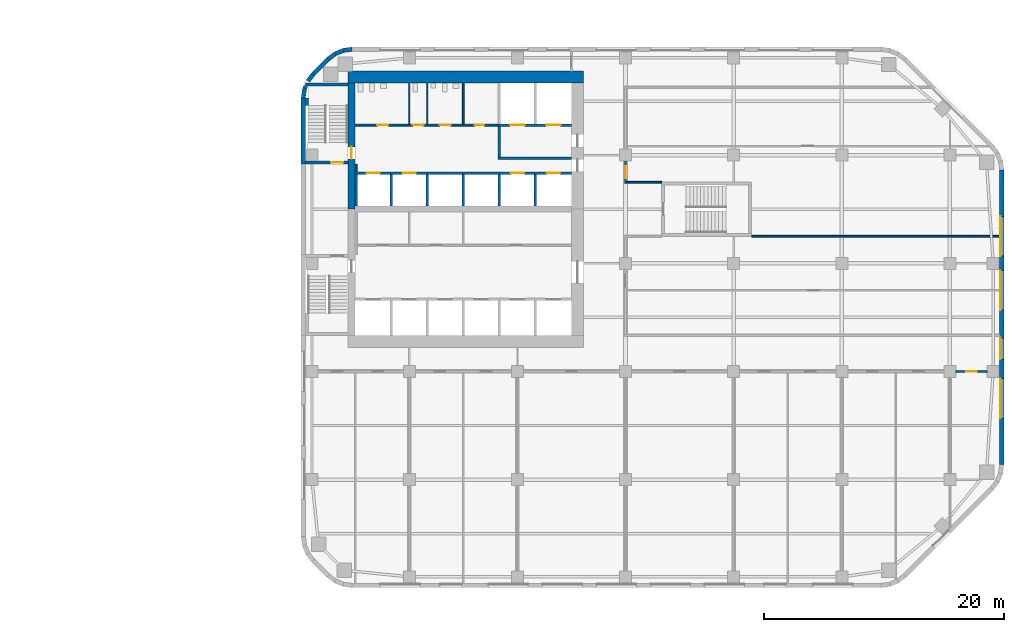
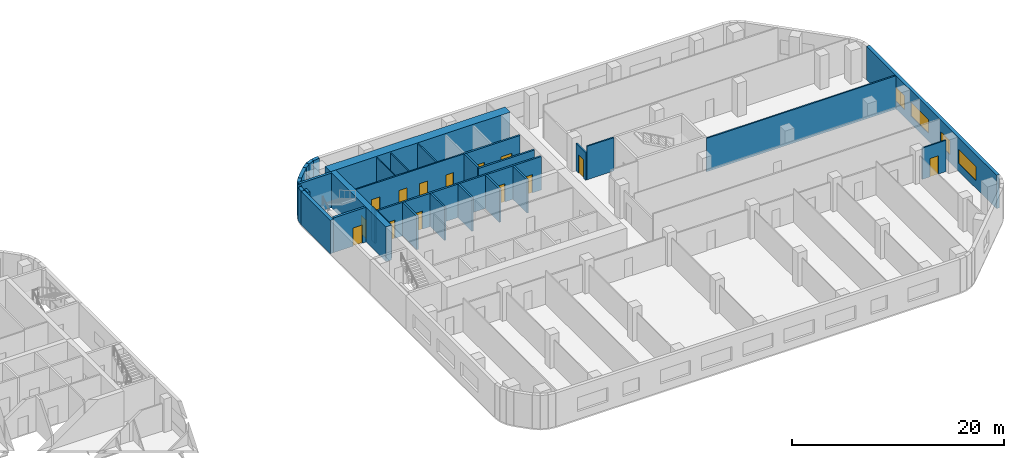
# One storey, part 10 of 15: 33 walls, 14 doors, 4 windows, 18 openings.
"""IFC4 building model written with IfcOpenShell, lengths in metres."""

import ifcopenshell
import ifcopenshell.guid

model = None  # the IFC model being written
_history = None  # IfcOwnerHistory: only IFC2X3 demands one
_inside = {}  # id of a spatial element -> (the spatial element, [elements in it])
_under = {}  # id of a project, library or spatial element -> (it, [spatial elements below it])
_declared = {}  # id of a project -> (the project, [libraries it declares])
_typed = {}  # id of a type object -> (the type object, [elements of that type])
_made_of = {}  # id of a material, layer set ... -> (it, [elements and type objects made of it])


def new_model(schema):
    """Start an empty IFC model of exactly this schema.

    Asked for "IFC4X3", IfcOpenShell would pick the latest addendum, in which some entities
    have other attributes; the version numbers below select the first issue.
    IFC2X3 requires an IfcOwnerHistory on every rooted entity: one is made here for all.
    """
    global model, _history
    if schema == "IFC4X3":
        model = ifcopenshell.file(schema_version=(4, 3, 0, 0))
    else:
        model = ifcopenshell.file(schema=schema)
    _inside.clear()
    _under.clear()
    _declared.clear()
    _typed.clear()
    _made_of.clear()
    _history = None
    if model.schema == "IFC2X3":
        org = make("IfcOrganization", Name="unknown")
        user = make(
            "IfcPersonAndOrganization",
            ThePerson=make("IfcPerson", FamilyName="unknown"),
            TheOrganization=org,
        )
        app = make(
            "IfcApplication",
            ApplicationDeveloper=org,
            Version="unknown",
            ApplicationFullName="unknown",
            ApplicationIdentifier="unknown",
        )
        _history = make(
            "IfcOwnerHistory",
            OwningUser=user,
            OwningApplication=app,
            ChangeAction="ADDED",
            CreationDate=0,
        )
    return model


def make(cls, **values):
    """One entity of the class cls with the attributes given. An attribute that is None is left unset."""
    return model.create_entity(
        cls, **{name: value for name, value in values.items() if value is not None}
    )


def rooted(cls, **values):
    """An entity with a GlobalId (a new one), such as an element, a storey or a relation."""
    return make(cls, GlobalId=ifcopenshell.guid.new(), OwnerHistory=_history, **values)


def si_unit(unit_type, name, prefix=None):
    """IfcSIUnit, for example si_unit("LENGTHUNIT", "METRE", prefix="MILLI")."""
    return make("IfcSIUnit", UnitType=unit_type, Prefix=prefix, Name=name)


def assignment(units):
    """IfcUnitAssignment: the units of a project."""
    return None if units is None else make("IfcUnitAssignment", Units=units)


def point(xyz):
    """IfcCartesianPoint."""
    return None if xyz is None else make("IfcCartesianPoint", Coordinates=xyz)


def direction(xyz):
    """IfcDirection."""
    return None if xyz is None else make("IfcDirection", DirectionRatios=xyz)


def frame(location, z_axis=None, x_axis=None):
    """IfcAxis2Placement3D, a coordinate frame: its origin and axes. An axis left out is left unset."""
    return make(
        "IfcAxis2Placement3D",
        Location=point(location),
        Axis=direction(z_axis),
        RefDirection=direction(x_axis),
    )


def frame_2d(location, x_axis=None):
    """IfcAxis2Placement2D, a coordinate frame in the plane: its origin and x axis."""
    return make(
        "IfcAxis2Placement2D", Location=point(location), RefDirection=direction(x_axis)
    )


def origin():
    """The frame at (0, 0, 0) with its axes left unset."""
    return frame((0.0, 0.0, 0.0))


def place(relative_to, where):
    """IfcLocalPlacement: puts the frame where relative to a parent placement (None: the world)."""
    return make(
        "IfcLocalPlacement", PlacementRelTo=relative_to, RelativePlacement=where
    )


def context(
    kind, dimensions, precision=None, world=None, true_north=None, identifier=None
):
    """IfcGeometricRepresentationContext, for example the 3D "Model" context."""
    return make(
        "IfcGeometricRepresentationContext",
        ContextIdentifier=identifier,
        ContextType=kind,
        CoordinateSpaceDimension=dimensions,
        Precision=precision,
        WorldCoordinateSystem=world,
        TrueNorth=true_north,
    )


def subcontext(parent, identifier, kind, view, scale=None):
    """IfcGeometricRepresentationSubContext, for example "Body" below "Model"."""
    return make(
        "IfcGeometricRepresentationSubContext",
        ContextIdentifier=identifier,
        ContextType=kind,
        ParentContext=parent,
        TargetScale=scale,
        TargetView=view,
    )


def project(units=None, contexts=None):
    """IfcProject with its units and contexts."""
    return rooted(
        "IfcProject",
        Name="project",
        RepresentationContexts=contexts,
        UnitsInContext=assignment(units),
    )


def spatial(cls, under=None, at=None, **own):
    """A site, building, storey or space (cls), placed at a placement, below another one or the project."""
    s = rooted(cls, ObjectPlacement=at, **own)
    if under is not None:
        _under.setdefault(under.id(), (under, []))[1].append(s)
    return s


def profile(cls, at=None, kind="AREA", **sizes):
    """A parametric profile (cls). Its sizes go by their IFC names, for example OverallWidth=200.0."""
    return make(cls, ProfileType=kind, Position=at, **sizes)


def rectangle(**sizes):
    """IfcRectangleProfileDef."""
    return profile("IfcRectangleProfileDef", **sizes)


def extrude(swept, where, along, depth):
    """IfcExtrudedAreaSolid: the profile swept, set in the frame where, extruded along a direction by depth."""
    return make(
        "IfcExtrudedAreaSolid",
        SweptArea=swept,
        Position=where,
        ExtrudedDirection=direction(along),
        Depth=depth,
    )


def shape(context_of_items, identifier, shape_type, items):
    """IfcShapeRepresentation: the items that make up one representation, for example the "Body"."""
    return make(
        "IfcShapeRepresentation",
        ContextOfItems=context_of_items,
        RepresentationIdentifier=identifier,
        RepresentationType=shape_type,
        Items=items,
    )


def material(Name=None, Category=None):
    """IfcMaterial."""
    return make("IfcMaterial", Name=Name, Category=Category)


def layer(
    of_material, thickness, ventilated=None, Name=None, Category=None, Priority=None
):
    """IfcMaterialLayer: one layer of a wall or slab, of a material (None: an air gap)."""
    return make(
        "IfcMaterialLayer",
        Material=of_material,
        LayerThickness=thickness,
        IsVentilated=ventilated,
        Name=Name,
        Category=Category,
        Priority=Priority,
    )


def layer_set(layers, Name=None):
    """IfcMaterialLayerSet."""
    return make("IfcMaterialLayerSet", MaterialLayers=layers, LayerSetName=Name)


def made_of(thing, what):
    """Note that an element or type object is made of a material, layer set ...; save() writes the relation."""
    if what is not None:
        _made_of.setdefault(what.id(), (what, []))[1].append(thing)
    return thing


def type_object(cls, material=None, **own):
    """A type object (cls), such as IfcWallType, which elements share."""
    return made_of(rooted(cls, **own), material)


def element(
    cls,
    number,
    at=None,
    inside=None,
    cuts=None,
    type_object=None,
    material=None,
    context=None,
    identifier="Body",
    shape_type=None,
    held_by="IfcProductDefinitionShape",
    body=None,
    shapes=None,
    **own,
):
    """One element of the class cls, such as IfcWall. Its Tag is "e" and its number.

    at: its placement. inside: the storey or other place that contains it. cuts: it is an
    opening in that element (IfcRelVoidsElement). A single representation is given by context,
    identifier, shape_type and body (its items); several are given by shapes. held_by: the class
    of the entity that holds the representations. save() writes the other relations.
    """
    e = rooted(cls, Tag="e%d" % number, ObjectPlacement=at, **own)
    if body is not None:
        shapes = [shape(context, identifier, shape_type, body)]
    if shapes is not None:
        e.Representation = make(held_by, Representations=shapes)
    if inside is not None:
        _inside.setdefault(inside.id(), (inside, []))[1].append(e)
    if cuts is not None:
        rooted(
            "IfcRelVoidsElement", RelatingBuildingElement=cuts, RelatedOpeningElement=e
        )
    if type_object is not None:
        _typed.setdefault(type_object.id(), (type_object, []))[1].append(e)
    return made_of(e, material)


def fill(opening, filler):
    """IfcRelFillsElement: the door or window that sits in an opening."""
    return rooted(
        "IfcRelFillsElement",
        RelatingOpeningElement=opening,
        RelatedBuildingElement=filler,
    )


def aggregate(whole, parts):
    """IfcRelAggregates: a whole, such as a stair, and the parts it consists of."""
    return rooted("IfcRelAggregates", RelatingObject=whole, RelatedObjects=parts)


def save(model, path):
    """Write the relations noted so far, then the file.

    IfcRelAggregates (storeys below a building ...), IfcRelContainedInSpatialStructure (elements
    in a storey), IfcRelDefinesByType, IfcRelAssociatesMaterial and IfcRelDeclares: one each for
    every whole, place, type object, material and project.
    """
    for whole, parts in _under.values():
        aggregate(whole, parts)
    for where, things in _inside.values():
        rooted(
            "IfcRelContainedInSpatialStructure",
            RelatedElements=things,
            RelatingStructure=where,
        )
    for kind, things in _typed.values():
        rooted("IfcRelDefinesByType", RelatedObjects=things, RelatingType=kind)
    for what, things in _made_of.values():
        rooted("IfcRelAssociatesMaterial", RelatedObjects=things, RelatingMaterial=what)
    for by, libraries in _declared.values():
        rooted("IfcRelDeclares", RelatingContext=by, RelatedDefinitions=libraries)
    model.write(path)


model = new_model("IFC4")

# Units and contexts
model_context = context("Model", 3, precision=1e-05, world=origin(), true_north=direction((0.0, 1.0)))
body_context = subcontext(model_context, "Body", "Model", "MODEL_VIEW")
ifc_project = project(units=[si_unit("LENGTHUNIT", "METRE"), si_unit("AREAUNIT", "SQUARE_METRE"), si_unit("VOLUMEUNIT", "CUBIC_METRE"), si_unit("PLANEANGLEUNIT", "RADIAN"), si_unit("MASSUNIT", "GRAM", prefix="KILO")], contexts=[model_context])

# Site, building, storey
site_placement = place(None, origin())
site = spatial("IfcSite", under=ifc_project, at=site_placement, CompositionType="ELEMENT")
building_placement = place(site_placement, origin())
building = spatial("IfcBuilding", under=site, at=building_placement, Name="Cinnabar Reach Civic Tower", CompositionType="ELEMENT")
storey_placement = place(building_placement, frame((0.0, 0.0, 59.0)))
storey = spatial("IfcBuildingStorey", under=building, at=storey_placement, Name="L13", CompositionType="ELEMENT", Elevation=59.0)

# Walls
ifc_material_1 = material(Name="Facing brick with insulated backing", Category="masonry")
ifc_layer_1 = layer(ifc_material_1, 0.36)
ifc_layer_set_1 = layer_set([ifc_layer_1], Name="Brick corner wall")
wall_type_1 = type_object("IfcWallType", Name="Brick corner wall", PredefinedType="STANDARD", material=ifc_layer_set_1)
for number, where, z_axis, x_axis, name in (
    (1, (4.2314, 44.817, 0.0), (0.0, 0.0, 1.0), (-0.99144092581, -0.13055608231, 0.0), "Brick corner wall"),
    (2, (3.5027, 44.7181, 0.0), (0.0, 0.0, 1.0), (-0.923871547278, -0.382702709855, 0.0), "Brick corner wall"),
):
    element("IfcWall", number, at=place(storey_placement, frame(where, z_axis=z_axis, x_axis=x_axis)), inside=storey, type_object=wall_type_1, Name=name, PredefinedType="STANDARD", context=body_context, shape_type="SweptSolid", body=[
        extrude(rectangle(XDim=0.7131, YDim=0.36, at=frame_2d((0.3565, 0.0))), origin(), (0.0, 0.0, 1.0), 3.85),
    ])
for number, where, z_axis, x_axis, name in (
    (3, (2.8245, 44.434, 0.0), (0.0, 0.0, 1.0), (-0.793321924995, -0.608802368033, 0.0), "Brick corner wall"),
    (4, (1.0002, 42.7413, 0.0), (0.0, 0.0, 1.0), (-0.608802368033, -0.793321924995, 0.0), "Brick corner wall"),
):
    element("IfcWall", number, at=place(storey_placement, frame(where, z_axis=z_axis, x_axis=x_axis)), inside=storey, type_object=wall_type_1, Name=name, PredefinedType="STANDARD", context=body_context, shape_type="SweptSolid", body=[
        extrude(rectangle(XDim=0.7132, YDim=0.36, at=frame_2d((0.3566, 0.0))), origin(), (0.0, 0.0, 1.0), 3.85),
    ])
wall_1_placement = place(storey_placement, frame((0.3808, 41.736, 0.0), z_axis=(0.0, 0.0, 1.0), x_axis=(-0.382773360986, -0.923842277729, 0.0)))
element("IfcWall", 5, at=wall_1_placement, inside=storey, type_object=wall_type_1, Name="Brick corner wall", PredefinedType="STANDARD", context=body_context, shape_type="SweptSolid", body=[
    extrude(rectangle(XDim=0.2584, YDim=0.36, at=frame_2d((0.1292, 0.0))), origin(), (0.0, 0.0, 1.0), 3.85),
])
wall_2_placement = place(storey_placement, frame((0.2761, 41.4756, 0.0), z_axis=(0.0, 0.0, 1.0), x_axis=(-0.13055608231, -0.99144092581, 0.0)))
element("IfcWall", 6, at=wall_2_placement, inside=storey, type_object=wall_type_1, Name="Brick corner wall", PredefinedType="STANDARD", context=body_context, shape_type="SweptSolid", body=[
    extrude(rectangle(XDim=0.7131, YDim=0.36, at=frame_2d((0.3565, 0.0))), origin(), (0.0, 0.0, 1.0), 3.85),
])

# Wall, openings, windows
ifc_layer_2 = layer(ifc_material_1, 0.36)
ifc_layer_set_2 = layer_set([ifc_layer_2], Name="Brick pier and spandrel wall")
wall_type_2 = type_object("IfcWallType", Name="Brick pier and spandrel wall", PredefinedType="STANDARD", material=ifc_layer_set_2)
wall_3_placement = place(storey_placement, frame((58.32, 10.2426, 0.0), z_axis=(0.0, 0.0, 1.0), x_axis=(0.0, 1.0, 0.0)))
wall_3 = element("IfcWall", 7, at=wall_3_placement, inside=storey, type_object=wall_type_2, Name="Brick facade wall", PredefinedType="STANDARD", context=body_context, shape_type="SweptSolid", body=[
    extrude(rectangle(XDim=24.5148, YDim=0.36, at=frame_2d((12.2574, 0.0))), origin(), (0.0, 0.0, 1.0), 3.85),
])
opening_1_placement = place(wall_3_placement, frame((3.8574, 0.0, 0.9)))
opening_1 = element("IfcOpeningElement", 8, at=opening_1_placement, cuts=wall_3, Name="Opening W1223", PredefinedType="OPENING", context=body_context, shape_type="SweptSolid", body=[
    extrude(rectangle(XDim=3.3, YDim=1.6, at=frame_2d((1.65, 0.8))), frame((0.0, 0.19, 0.0), z_axis=(0.0, -1.0, 0.0), x_axis=(1.0, 0.0, 0.0)), (0.0, 0.0, 1.0), 0.38),
])
opening_2_placement = place(wall_3_placement, frame((8.7574, 0.0, 0.9)))
opening_2 = element("IfcOpeningElement", 9, at=opening_2_placement, cuts=wall_3, Name="Opening W1224", PredefinedType="OPENING", context=body_context, shape_type="SweptSolid", body=[
    extrude(rectangle(XDim=1.8, YDim=1.6, at=frame_2d((0.9, 0.8))), frame((0.0, 0.19, 0.0), z_axis=(0.0, -1.0, 0.0), x_axis=(1.0, 0.0, 0.0)), (0.0, 0.0, 1.0), 0.38),
])
opening_3_placement = place(wall_3_placement, frame((12.8574, 0.0, 0.9)))
opening_3 = element("IfcOpeningElement", 10, at=opening_3_placement, cuts=wall_3, Name="Opening W1225", PredefinedType="OPENING", context=body_context, shape_type="SweptSolid", body=[
    extrude(rectangle(XDim=3.3, YDim=1.6, at=frame_2d((1.65, 0.8))), frame((0.0, 0.19, 0.0), z_axis=(0.0, -1.0, 0.0), x_axis=(1.0, 0.0, 0.0)), (0.0, 0.0, 1.0), 0.38),
])
opening_4_placement = place(wall_3_placement, frame((17.3574, 0.0, 0.9)))
opening_4 = element("IfcOpeningElement", 11, at=opening_4_placement, cuts=wall_3, Name="Opening W1226", PredefinedType="OPENING", context=body_context, shape_type="SweptSolid", body=[
    extrude(rectangle(XDim=3.3, YDim=1.6, at=frame_2d((1.65, 0.8))), frame((0.0, 0.19, 0.0), z_axis=(0.0, -1.0, 0.0), x_axis=(1.0, 0.0, 0.0)), (0.0, 0.0, 1.0), 0.38),
])
ifc_material_2 = material(Name="Clear double glazing in aluminium frame", Category="aluminium")
window_type_1 = type_object("IfcWindowType", Name="Deep-set window A", PartitioningType="SINGLE_PANEL", PredefinedType="WINDOW", material=ifc_material_2)
window_1_placement = place(opening_1_placement, origin())
window_1 = element("IfcWindow", 12, at=window_1_placement, inside=storey, type_object=window_type_1, Name="Window east face", OverallHeight=1.6, OverallWidth=3.3, PartitioningType="SINGLE_PANEL", PredefinedType="WINDOW", context=body_context, shape_type="SweptSolid", body=[
    extrude(rectangle(XDim=3.3, YDim=1.6, at=frame_2d((1.65, 0.8))), frame((0.0, 0.13, 0.0), z_axis=(0.0, -1.0, 0.0), x_axis=(1.0, 0.0, 0.0)), (0.0, 0.0, 1.0), 0.06),
])
fill(opening_1, window_1)
window_2_placement = place(opening_3_placement, origin())
window_2 = element("IfcWindow", 13, at=window_2_placement, inside=storey, type_object=window_type_1, Name="Window east face", OverallHeight=1.6, OverallWidth=3.3, PartitioningType="SINGLE_PANEL", PredefinedType="WINDOW", context=body_context, shape_type="SweptSolid", body=[
    extrude(rectangle(XDim=3.3, YDim=1.6, at=frame_2d((1.65, 0.8))), frame((0.0, 0.13, 0.0), z_axis=(0.0, -1.0, 0.0), x_axis=(1.0, 0.0, 0.0)), (0.0, 0.0, 1.0), 0.06),
])
fill(opening_3, window_2)
window_3_placement = place(opening_4_placement, origin())
window_3 = element("IfcWindow", 14, at=window_3_placement, inside=storey, type_object=window_type_1, Name="Window east face", OverallHeight=1.6, OverallWidth=3.3, PartitioningType="SINGLE_PANEL", PredefinedType="WINDOW", context=body_context, shape_type="SweptSolid", body=[
    extrude(rectangle(XDim=3.3, YDim=1.6, at=frame_2d((1.65, 0.8))), frame((0.0, 0.13, 0.0), z_axis=(0.0, -1.0, 0.0), x_axis=(1.0, 0.0, 0.0)), (0.0, 0.0, 1.0), 0.06),
])
fill(opening_4, window_3)
window_type_2 = type_object("IfcWindowType", Name="Deep-set window D", PartitioningType="SINGLE_PANEL", PredefinedType="WINDOW", material=ifc_material_2)
window_4_placement = place(opening_2_placement, origin())
window_4 = element("IfcWindow", 15, at=window_4_placement, inside=storey, type_object=window_type_2, Name="Window east face", OverallHeight=1.6, OverallWidth=1.8, PartitioningType="SINGLE_PANEL", PredefinedType="WINDOW", context=body_context, shape_type="SweptSolid", body=[
    extrude(rectangle(XDim=1.8, YDim=1.6, at=frame_2d((0.9, 0.8))), frame((0.0, 0.13, 0.0), z_axis=(0.0, -1.0, 0.0), x_axis=(1.0, 0.0, 0.0)), (0.0, 0.0, 1.0), 0.06),
])
fill(opening_2, window_4)

# Walls
wall_4_placement = place(storey_placement, frame((2.2486, 43.994, 0.0), z_axis=(0.0, 0.0, 1.0), x_axis=(-0.707106781187, -0.707106781187, 0.0)))
element("IfcWall", 16, at=wall_4_placement, inside=storey, type_object=wall_type_2, Name="Brick facade wall", PredefinedType="STANDARD", context=body_context, shape_type="SweptSolid", body=[
    extrude(rectangle(XDim=1.7573, YDim=0.36, at=frame_2d((0.8787, 0.0))), origin(), (0.0, 0.0, 1.0), 3.85),
])
wall_5_placement = place(storey_placement, frame((0.18, 40.7574, 0.0), z_axis=(0.0, 0.0, 1.0), x_axis=(0.0, -1.0, 0.0)))
element("IfcWall", 17, at=wall_5_placement, inside=storey, type_object=wall_type_2, Name="Brick facade wall", PredefinedType="STANDARD", context=body_context, shape_type="SweptSolid", body=[
    extrude(rectangle(XDim=5.5074, YDim=0.36, at=frame_2d((2.7537, 0.0))), origin(), (0.0, 0.0, 1.0), 3.85),
])
ifc_material_3 = material(Name="Concrete C70", Category="concrete")
ifc_layer_3 = layer(ifc_material_3, 1.0)
ifc_layer_set_3 = layer_set([ifc_layer_3], Name="Core wall 1000 EI 180")
wall_type_3 = type_object("IfcWallType", Name="Core wall 1000 EI 180", PredefinedType="SOLIDWALL", material=ifc_layer_set_3)
wall_6_placement = place(storey_placement, frame((23.5, 42.5, 0.0), z_axis=(0.0, 0.0, 1.0), x_axis=(-1.0, 0.0, 0.0)))
element("IfcWall", 18, at=wall_6_placement, inside=storey, type_object=wall_type_3, Name="Core wall T1 L13 N", PredefinedType="SOLIDWALL", context=body_context, shape_type="SweptSolid", body=[
    extrude(rectangle(XDim=19.6, YDim=1.0, at=frame_2d((9.8, 0.0))), origin(), (0.0, 0.0, 1.0), 4.0),
])

# Wall, opening, door
ifc_layer_4 = layer(ifc_material_3, 0.6)
ifc_layer_set_4 = layer_set([ifc_layer_4], Name="Core wall 600 EI 180")
wall_type_4 = type_object("IfcWallType", Name="Core wall 600 EI 180", PredefinedType="SOLIDWALL", material=ifc_layer_set_4)
wall_7_placement = place(storey_placement, frame((4.2, 42.0, 0.0), z_axis=(0.0, 0.0, 1.0), x_axis=(0.0, -1.0, 0.0)))
wall_7 = element("IfcWall", 19, at=wall_7_placement, inside=storey, type_object=wall_type_4, Name="Core wall T1 L13 W", PredefinedType="SOLIDWALL", context=body_context, shape_type="SweptSolid", body=[
    extrude(rectangle(XDim=10.5, YDim=0.6, at=frame_2d((5.25, 0.0))), origin(), (0.0, 0.0, 1.0), 4.0),
])
opening_5_placement = place(wall_7_placement, frame((5.3, 0.0, 0.0)))
opening_5 = element("IfcOpeningElement", 20, at=opening_5_placement, cuts=wall_7, Name="Opening D3518", PredefinedType="OPENING", context=body_context, shape_type="SweptSolid", body=[
    extrude(rectangle(XDim=1.0, YDim=2.1, at=frame_2d((0.5, 1.05))), frame((0.0, 0.31, 0.0), z_axis=(0.0, -1.0, 0.0), x_axis=(1.0, 0.0, 0.0)), (0.0, 0.0, 1.0), 0.62),
])
ifc_material_4 = material(Name="Timber door leaf in steel frame", Category="steel")
door_type_1 = type_object("IfcDoorType", Name="Stair door 1000 x 2100 T1", OperationType="SINGLE_SWING_LEFT", PredefinedType="DOOR", material=ifc_material_4)
door_1_placement = place(opening_5_placement, frame((1.0, 0.0, 0.0), z_axis=(0.0, 0.0, 1.0), x_axis=(-1.0, 0.0, 0.0)))
door_1 = element("IfcDoor", 21, at=door_1_placement, inside=storey, type_object=door_type_1, Name="Door D3518", OperationType="SINGLE_SWING_LEFT", OverallHeight=2.1, OverallWidth=1.0, PredefinedType="DOOR", context=body_context, shape_type="SweptSolid", body=[
    extrude(rectangle(XDim=1.0, YDim=2.1, at=frame_2d((0.5, 1.05))), frame((0.0, 0.025, 0.0), z_axis=(0.0, -1.0, 0.0), x_axis=(1.0, 0.0, 0.0)), (0.0, 0.0, 1.0), 0.05),
])
fill(opening_5, door_1)

ifc_material_5 = material(Name="Gypsum board on steel studs, double layer", Category="steel")
ifc_layer_5 = layer(ifc_material_5, 0.15)
ifc_layer_set_5 = layer_set([ifc_layer_5], Name="Corridor wall 150 T1")
wall_type_5 = type_object("IfcWallType", Name="Corridor wall 150 T1", PredefinedType="PARTITIONING", material=ifc_layer_set_5)
wall_8_placement = place(storey_placement, frame((54.5, 18.0, 0.0), z_axis=(0.0, 0.0, 1.0), x_axis=(1.0, 0.0, 0.0)))
wall_8 = element("IfcWall", 22, at=wall_8_placement, inside=storey, type_object=wall_type_5, Name="Corridor wall 19", PredefinedType="PARTITIONING", context=body_context, shape_type="SweptSolid", body=[
    extrude(rectangle(XDim=2.6, YDim=0.15, at=frame_2d((1.3, 0.0))), origin(), (0.0, 0.0, 1.0), 3.602),
])
opening_6_placement = place(wall_8_placement, frame((0.85, 0.0, 0.0)))
opening_6 = element("IfcOpeningElement", 23, at=opening_6_placement, cuts=wall_8, Name="Opening D3557", PredefinedType="OPENING", context=body_context, shape_type="SweptSolid", body=[
    extrude(rectangle(XDim=0.9, YDim=2.1, at=frame_2d((0.45, 1.05))), frame((0.0, 0.085, 0.0), z_axis=(0.0, -1.0, 0.0), x_axis=(1.0, 0.0, 0.0)), (0.0, 0.0, 1.0), 0.17),
])
door_type_2 = type_object("IfcDoorType", Name="Single swing door 900 x 2100 corridor T1", OperationType="SINGLE_SWING_LEFT", PredefinedType="DOOR", material=ifc_material_4)
door_2_placement = place(opening_6_placement, frame((0.9, 0.0, 0.0), z_axis=(0.0, 0.0, 1.0), x_axis=(-1.0, 0.0, 0.0)))
door_2 = element("IfcDoor", 24, at=door_2_placement, inside=storey, type_object=door_type_2, Name="Door D3557", OperationType="SINGLE_SWING_RIGHT", OverallHeight=2.1, OverallWidth=0.9, PredefinedType="DOOR", context=body_context, shape_type="SweptSolid", body=[
    extrude(rectangle(XDim=0.9, YDim=2.1, at=frame_2d((0.45, 1.05))), frame((0.0, 0.025, 0.0), z_axis=(0.0, -1.0, 0.0), x_axis=(1.0, 0.0, 0.0)), (0.0, 0.0, 1.0), 0.05),
])
fill(opening_6, door_2)

# Wall, openings, doors
wall_9_placement = place(storey_placement, frame((4.5, 38.5, 0.0), z_axis=(0.0, 0.0, 1.0), x_axis=(1.0, 0.0, 0.0)))
wall_9 = element("IfcWall", 25, at=wall_9_placement, inside=storey, type_object=wall_type_5, Name="Corridor wall 29", PredefinedType="PARTITIONING", context=body_context, shape_type="SweptSolid", body=[
    extrude(rectangle(XDim=11.9, YDim=0.15, at=frame_2d((5.95, 0.0))), origin(), (0.0, 0.0, 1.0), 3.85),
])
opening_7_placement = place(wall_9_placement, frame((1.85, 0.0, 0.0)))
opening_7 = element("IfcOpeningElement", 26, at=opening_7_placement, cuts=wall_9, Name="Opening D3539", PredefinedType="OPENING", context=body_context, shape_type="SweptSolid", body=[
    extrude(rectangle(XDim=0.9, YDim=2.1, at=frame_2d((0.45, 1.05))), frame((0.0, 0.085, 0.0), z_axis=(0.0, -1.0, 0.0), x_axis=(1.0, 0.0, 0.0)), (0.0, 0.0, 1.0), 0.17),
])
opening_8_placement = place(wall_9_placement, frame((4.8, 0.0, 0.0)))
opening_8 = element("IfcOpeningElement", 27, at=opening_8_placement, cuts=wall_9, Name="Opening D3540", PredefinedType="OPENING", context=body_context, shape_type="SweptSolid", body=[
    extrude(rectangle(XDim=0.9, YDim=2.1, at=frame_2d((0.45, 1.05))), frame((0.0, 0.085, 0.0), z_axis=(0.0, -1.0, 0.0), x_axis=(1.0, 0.0, 0.0)), (0.0, 0.0, 1.0), 0.17),
])
opening_9_placement = place(wall_9_placement, frame((7.05, 0.0, 0.0)))
opening_9 = element("IfcOpeningElement", 28, at=opening_9_placement, cuts=wall_9, Name="Opening D3541", PredefinedType="OPENING", context=body_context, shape_type="SweptSolid", body=[
    extrude(rectangle(XDim=0.9, YDim=2.1, at=frame_2d((0.45, 1.05))), frame((0.0, 0.085, 0.0), z_axis=(0.0, -1.0, 0.0), x_axis=(1.0, 0.0, 0.0)), (0.0, 0.0, 1.0), 0.17),
])
opening_10_placement = place(wall_9_placement, frame((9.95, 0.0, 0.0)))
opening_10 = element("IfcOpeningElement", 29, at=opening_10_placement, cuts=wall_9, Name="Opening D3542", PredefinedType="OPENING", context=body_context, shape_type="SweptSolid", body=[
    extrude(rectangle(XDim=0.8, YDim=2.1, at=frame_2d((0.4, 1.05))), frame((0.0, 0.085, 0.0), z_axis=(0.0, -1.0, 0.0), x_axis=(1.0, 0.0, 0.0)), (0.0, 0.0, 1.0), 0.17),
])
door_type_3 = type_object("IfcDoorType", Name="Riser access door 800 x 2100 T1", OperationType="SINGLE_SWING_LEFT", PredefinedType="DOOR", material=ifc_material_4)
door_3_placement = place(opening_10_placement, origin())
door_3 = element("IfcDoor", 30, at=door_3_placement, inside=storey, type_object=door_type_3, Name="Door D3542", OperationType="SINGLE_SWING_RIGHT", OverallHeight=2.1, OverallWidth=0.8, PredefinedType="DOOR", context=body_context, shape_type="SweptSolid", body=[
    extrude(rectangle(XDim=0.8, YDim=2.1, at=frame_2d((0.4, 1.05))), frame((0.0, 0.025, 0.0), z_axis=(0.0, -1.0, 0.0), x_axis=(1.0, 0.0, 0.0)), (0.0, 0.0, 1.0), 0.05),
])
fill(opening_10, door_3)
door_4_placement = place(opening_7_placement, origin())
door_4 = element("IfcDoor", 31, at=door_4_placement, inside=storey, type_object=door_type_2, Name="Door D3539", OperationType="SINGLE_SWING_LEFT", OverallHeight=2.1, OverallWidth=0.9, PredefinedType="DOOR", context=body_context, shape_type="SweptSolid", body=[
    extrude(rectangle(XDim=0.9, YDim=2.1, at=frame_2d((0.45, 1.05))), frame((0.0, 0.025, 0.0), z_axis=(0.0, -1.0, 0.0), x_axis=(1.0, 0.0, 0.0)), (0.0, 0.0, 1.0), 0.05),
])
fill(opening_7, door_4)
door_5_placement = place(opening_8_placement, origin())
door_5 = element("IfcDoor", 32, at=door_5_placement, inside=storey, type_object=door_type_2, Name="Door D3540", OperationType="SINGLE_SWING_RIGHT", OverallHeight=2.1, OverallWidth=0.9, PredefinedType="DOOR", context=body_context, shape_type="SweptSolid", body=[
    extrude(rectangle(XDim=0.9, YDim=2.1, at=frame_2d((0.45, 1.05))), frame((0.0, 0.025, 0.0), z_axis=(0.0, -1.0, 0.0), x_axis=(1.0, 0.0, 0.0)), (0.0, 0.0, 1.0), 0.05),
])
fill(opening_8, door_5)
door_6_placement = place(opening_9_placement, origin())
door_6 = element("IfcDoor", 33, at=door_6_placement, inside=storey, type_object=door_type_2, Name="Door D3541", OperationType="SINGLE_SWING_LEFT", OverallHeight=2.1, OverallWidth=0.9, PredefinedType="DOOR", context=body_context, shape_type="SweptSolid", body=[
    extrude(rectangle(XDim=0.9, YDim=2.1, at=frame_2d((0.45, 1.05))), frame((0.0, 0.025, 0.0), z_axis=(0.0, -1.0, 0.0), x_axis=(1.0, 0.0, 0.0)), (0.0, 0.0, 1.0), 0.05),
])
fill(opening_9, door_6)

# Wall, opening, door
wall_10_placement = place(storey_placement, frame((27.0, 33.675, 0.0), z_axis=(0.0, 0.0, 1.0), x_axis=(0.0, 1.0, 0.0)))
wall_10 = element("IfcWall", 34, at=wall_10_placement, inside=storey, type_object=wall_type_5, Name="Corridor wall 32", PredefinedType="PARTITIONING", context=body_context, shape_type="SweptSolid", body=[
    extrude(rectangle(XDim=1.825, YDim=0.15, at=frame_2d((0.9125, 0.0))), origin(), (0.0, 0.0, 1.0), 3.158),
])
opening_11_placement = place(wall_10_placement, frame((0.4, 0.0, 0.0)))
opening_11 = element("IfcOpeningElement", 35, at=opening_11_placement, cuts=wall_10, Name="Opening D3543", PredefinedType="OPENING", context=body_context, shape_type="SweptSolid", body=[
    extrude(rectangle(XDim=1.0, YDim=2.1, at=frame_2d((0.5, 1.05))), frame((0.0, 0.085, 0.0), z_axis=(0.0, -1.0, 0.0), x_axis=(1.0, 0.0, 0.0)), (0.0, 0.0, 1.0), 0.17),
])
door_type_4 = type_object("IfcDoorType", Name="Tenancy entrance door 1000 x 2100 T1", OperationType="SINGLE_SWING_LEFT", PredefinedType="DOOR", material=ifc_material_4)
door_7_placement = place(opening_11_placement, frame((1.0, 0.0, 0.0), z_axis=(0.0, 0.0, 1.0), x_axis=(-1.0, 0.0, 0.0)))
door_7 = element("IfcDoor", 36, at=door_7_placement, inside=storey, type_object=door_type_4, Name="Door D3543", OperationType="SINGLE_SWING_RIGHT", OverallHeight=2.1, OverallWidth=1.0, PredefinedType="DOOR", context=body_context, shape_type="SweptSolid", body=[
    extrude(rectangle(XDim=1.0, YDim=2.1, at=frame_2d((0.5, 1.05))), frame((0.0, 0.025, 0.0), z_axis=(0.0, -1.0, 0.0), x_axis=(1.0, 0.0, 0.0)), (0.0, 0.0, 1.0), 0.05),
])
fill(opening_11, door_7)

# Walls
wall_11_placement = place(storey_placement, frame((27.075, 33.75, 0.0), z_axis=(0.0, 0.0, 1.0), x_axis=(1.0, 0.0, 0.0)))
element("IfcWall", 37, at=wall_11_placement, inside=storey, type_object=wall_type_5, Name="Corridor wall 37", PredefinedType="PARTITIONING", context=body_context, shape_type="SweptSolid", body=[
    extrude(rectangle(XDim=2.925, YDim=0.15, at=frame_2d((1.4625, 0.0))), origin(), (0.0, 0.0, 1.0), 3.85),
])
wall_12_placement = place(storey_placement, frame((4.575, 34.6, 0.0), z_axis=(0.0, 0.0, 1.0), x_axis=(0.0, 1.0, 0.0)))
element("IfcWall", 38, at=wall_12_placement, inside=storey, type_object=wall_type_5, Name="Corridor wall 39", PredefinedType="PARTITIONING", context=body_context, shape_type="SweptSolid", body=[
    extrude(rectangle(XDim=0.65, YDim=0.15, at=frame_2d((0.325, 0.0))), origin(), (0.0, 0.0, 1.0), 3.85),
])

# Wall, openings, doors
ifc_material_6 = material(Name="Blockwork", Category="masonry")
ifc_layer_6 = layer(ifc_material_6, 0.2)
ifc_layer_set_6 = layer_set([ifc_layer_6], Name="Lift shaft wall 200 T1")
wall_type_6 = type_object("IfcWallType", Name="Lift shaft wall 200 T1", PredefinedType="PARTITIONING", material=ifc_layer_set_6)
wall_13_placement = place(storey_placement, frame((4.5, 34.5, 0.0), z_axis=(0.0, 0.0, 1.0), x_axis=(1.0, 0.0, 0.0)))
wall_13 = element("IfcWall", 39, at=wall_13_placement, inside=storey, type_object=wall_type_6, Name="Lift shaft wall 5", PredefinedType="PARTITIONING", context=body_context, shape_type="SweptSolid", body=[
    extrude(rectangle(XDim=18.0, YDim=0.2, at=frame_2d((9.0, 0.0))), origin(), (0.0, 0.0, 1.0), 3.85),
])
opening_12_placement = place(wall_13_placement, frame((0.95, 0.0, 0.0)))
opening_12 = element("IfcOpeningElement", 40, at=opening_12_placement, cuts=wall_13, Name="Opening D3526", PredefinedType="OPENING", context=body_context, shape_type="SweptSolid", body=[
    extrude(rectangle(XDim=1.1, YDim=2.1, at=frame_2d((0.55, 1.05))), frame((0.0, 0.11, 0.0), z_axis=(0.0, -1.0, 0.0), x_axis=(1.0, 0.0, 0.0)), (0.0, 0.0, 1.0), 0.22),
])
opening_13_placement = place(wall_13_placement, frame((3.95, 0.0, 0.0)))
opening_13 = element("IfcOpeningElement", 41, at=opening_13_placement, cuts=wall_13, Name="Opening D3527", PredefinedType="OPENING", context=body_context, shape_type="SweptSolid", body=[
    extrude(rectangle(XDim=1.1, YDim=2.1, at=frame_2d((0.55, 1.05))), frame((0.0, 0.11, 0.0), z_axis=(0.0, -1.0, 0.0), x_axis=(1.0, 0.0, 0.0)), (0.0, 0.0, 1.0), 0.22),
])
opening_14_placement = place(wall_13_placement, frame((12.95, 0.0, 0.0)))
opening_14 = element("IfcOpeningElement", 42, at=opening_14_placement, cuts=wall_13, Name="Opening D3528", PredefinedType="OPENING", context=body_context, shape_type="SweptSolid", body=[
    extrude(rectangle(XDim=1.1, YDim=2.1, at=frame_2d((0.55, 1.05))), frame((0.0, 0.11, 0.0), z_axis=(0.0, -1.0, 0.0), x_axis=(1.0, 0.0, 0.0)), (0.0, 0.0, 1.0), 0.22),
])
opening_15_placement = place(wall_13_placement, frame((15.95, 0.0, 0.0)))
opening_15 = element("IfcOpeningElement", 43, at=opening_15_placement, cuts=wall_13, Name="Opening D3529", PredefinedType="OPENING", context=body_context, shape_type="SweptSolid", body=[
    extrude(rectangle(XDim=1.1, YDim=2.1, at=frame_2d((0.55, 1.05))), frame((0.0, 0.11, 0.0), z_axis=(0.0, -1.0, 0.0), x_axis=(1.0, 0.0, 0.0)), (0.0, 0.0, 1.0), 0.22),
])
ifc_material_7 = material(Name="Stainless steel sliding door", Category="steel")
door_type_5 = type_object("IfcDoorType", Name="Lift landing door 1100 x 2100 T1", OperationType="SLIDING_TO_LEFT", PredefinedType="DOOR", material=ifc_material_7)
door_8_placement = place(opening_12_placement, origin())
door_8 = element("IfcDoor", 44, at=door_8_placement, inside=storey, type_object=door_type_5, Name="Lift landing door SH1 L13", OperationType="SLIDING_TO_LEFT", OverallHeight=2.1, OverallWidth=1.1, PredefinedType="DOOR", context=body_context, shape_type="SweptSolid", body=[
    extrude(rectangle(XDim=1.1, YDim=2.1, at=frame_2d((0.55, 1.05))), frame((0.0, 0.025, 0.0), z_axis=(0.0, -1.0, 0.0), x_axis=(1.0, 0.0, 0.0)), (0.0, 0.0, 1.0), 0.05),
])
fill(opening_12, door_8)
door_9_placement = place(opening_13_placement, origin())
door_9 = element("IfcDoor", 45, at=door_9_placement, inside=storey, type_object=door_type_5, Name="Lift landing door SH2 L13", OperationType="SLIDING_TO_LEFT", OverallHeight=2.1, OverallWidth=1.1, PredefinedType="DOOR", context=body_context, shape_type="SweptSolid", body=[
    extrude(rectangle(XDim=1.1, YDim=2.1, at=frame_2d((0.55, 1.05))), frame((0.0, 0.025, 0.0), z_axis=(0.0, -1.0, 0.0), x_axis=(1.0, 0.0, 0.0)), (0.0, 0.0, 1.0), 0.05),
])
fill(opening_13, door_9)
door_10_placement = place(opening_14_placement, origin())
door_10 = element("IfcDoor", 46, at=door_10_placement, inside=storey, type_object=door_type_5, Name="Lift landing door SV1 L13", OperationType="SLIDING_TO_LEFT", OverallHeight=2.1, OverallWidth=1.1, PredefinedType="DOOR", context=body_context, shape_type="SweptSolid", body=[
    extrude(rectangle(XDim=1.1, YDim=2.1, at=frame_2d((0.55, 1.05))), frame((0.0, 0.025, 0.0), z_axis=(0.0, -1.0, 0.0), x_axis=(1.0, 0.0, 0.0)), (0.0, 0.0, 1.0), 0.05),
])
fill(opening_14, door_10)
door_11_placement = place(opening_15_placement, origin())
door_11 = element("IfcDoor", 47, at=door_11_placement, inside=storey, type_object=door_type_5, Name="Lift landing door SV2 L13", OperationType="SLIDING_TO_LEFT", OverallHeight=2.1, OverallWidth=1.1, PredefinedType="DOOR", context=body_context, shape_type="SweptSolid", body=[
    extrude(rectangle(XDim=1.1, YDim=2.1, at=frame_2d((0.55, 1.05))), frame((0.0, 0.025, 0.0), z_axis=(0.0, -1.0, 0.0), x_axis=(1.0, 0.0, 0.0)), (0.0, 0.0, 1.0), 0.05),
])
fill(opening_15, door_11)

# Walls
for number, where, z_axis, x_axis, name in (
    (48, (4.6, 31.75, 0.0), (0.0, 0.0, 1.0), (0.0, 1.0, 0.0), "Lift shaft wall 8"),
    (49, (7.5, 31.75, 0.0), (0.0, 0.0, 1.0), (0.0, 1.0, 0.0), "Lift shaft wall 10"),
    (50, (10.5, 31.75, 0.0), (0.0, 0.0, 1.0), (0.0, 1.0, 0.0), "Lift shaft wall 12"),
    (51, (13.5, 31.75, 0.0), (0.0, 0.0, 1.0), (0.0, 1.0, 0.0), "Lift shaft wall 14"),
    (52, (16.5, 31.75, 0.0), (0.0, 0.0, 1.0), (0.0, 1.0, 0.0), "Lift shaft wall 16"),
    (53, (19.5, 31.75, 0.0), (0.0, 0.0, 1.0), (0.0, 1.0, 0.0), "Lift shaft wall 18"),
):
    element("IfcWall", number, at=place(storey_placement, frame(where, z_axis=z_axis, x_axis=x_axis)), inside=storey, type_object=wall_type_6, Name=name, PredefinedType="PARTITIONING", context=body_context, shape_type="SweptSolid", body=[
        extrude(rectangle(XDim=2.65, YDim=0.2, at=frame_2d((1.325, 0.0))), origin(), (0.0, 0.0, 1.0), 3.85),
    ])
ifc_material_8 = material(Name="Gypsum board on steel studs", Category="steel")
ifc_layer_7 = layer(ifc_material_8, 0.1)
ifc_layer_set_7 = layer_set([ifc_layer_7], Name="Partition wall 100 T1")
wall_type_7 = type_object("IfcWallType", Name="Partition wall 100 T1", PredefinedType="PARTITIONING", material=ifc_layer_set_7)
for number, where, z_axis, x_axis, name in (
    (54, (9.0, 38.575, 0.0), (0.0, 0.0, 1.0), (0.0, 1.0, 0.0), "Partition wall 60"),
    (55, (10.5, 38.575, 0.0), (0.0, 0.0, 1.0), (0.0, 1.0, 0.0), "Partition wall 61"),
):
    element("IfcWall", number, at=place(storey_placement, frame(where, z_axis=z_axis, x_axis=x_axis)), inside=storey, type_object=wall_type_7, Name=name, PredefinedType="PARTITIONING", context=body_context, shape_type="SweptSolid", body=[
        extrude(rectangle(XDim=3.425, YDim=0.1, at=frame_2d((1.7125, 0.0))), origin(), (0.0, 0.0, 1.0), 3.85),
    ])
ifc_material_9 = material(Name="Concrete C40", Category="concrete")
ifc_layer_8 = layer(ifc_material_9, 0.2)
ifc_layer_set_8 = layer_set([ifc_layer_8], Name="Refuge compartment wall 200 T1")
wall_type_8 = type_object("IfcWallType", Name="Refuge compartment wall 200 T1", PredefinedType="PARTITIONING", material=ifc_layer_set_8)
wall_14_placement = place(storey_placement, frame((16.4, 35.75, 0.0), z_axis=(0.0, 0.0, 1.0), x_axis=(1.0, 0.0, 0.0)))
element("IfcWall", 56, at=wall_14_placement, inside=storey, type_object=wall_type_8, Name="Refuge compartment wall 1", PredefinedType="PARTITIONING", context=body_context, shape_type="SweptSolid", body=[
    extrude(rectangle(XDim=6.1, YDim=0.2, at=frame_2d((3.05, 0.0))), origin(), (0.0, 0.0, 1.0), 3.85),
])

# Wall, openings, doors
wall_15_placement = place(storey_placement, frame((16.4, 38.5, 0.0), z_axis=(0.0, 0.0, 1.0), x_axis=(1.0, 0.0, 0.0)))
wall_15 = element("IfcWall", 57, at=wall_15_placement, inside=storey, type_object=wall_type_8, Name="Refuge compartment wall 2", PredefinedType="PARTITIONING", context=body_context, shape_type="SweptSolid", body=[
    extrude(rectangle(XDim=6.1, YDim=0.2, at=frame_2d((3.05, 0.0))), origin(), (0.0, 0.0, 1.0), 3.85),
])
opening_16_placement = place(wall_15_placement, frame((1.0, 0.0, 0.0)))
opening_16 = element("IfcOpeningElement", 58, at=opening_16_placement, cuts=wall_15, Name="Opening D3530", PredefinedType="OPENING", context=body_context, shape_type="SweptSolid", body=[
    extrude(rectangle(XDim=1.2, YDim=2.1, at=frame_2d((0.6, 1.05))), frame((0.0, 0.11, 0.0), z_axis=(0.0, -1.0, 0.0), x_axis=(1.0, 0.0, 0.0)), (0.0, 0.0, 1.0), 0.22),
])
opening_17_placement = place(wall_15_placement, frame((4.0, 0.0, 0.0)))
opening_17 = element("IfcOpeningElement", 59, at=opening_17_placement, cuts=wall_15, Name="Opening D3531", PredefinedType="OPENING", context=body_context, shape_type="SweptSolid", body=[
    extrude(rectangle(XDim=1.2, YDim=2.1, at=frame_2d((0.6, 1.05))), frame((0.0, 0.11, 0.0), z_axis=(0.0, -1.0, 0.0), x_axis=(1.0, 0.0, 0.0)), (0.0, 0.0, 1.0), 0.22),
])
door_type_6 = type_object("IfcDoorType", Name="Firefighting lift landing door 1200 x 2100 T1", OperationType="SLIDING_TO_LEFT", PredefinedType="DOOR", material=ifc_material_7)
door_12_placement = place(opening_16_placement, origin())
door_12 = element("IfcDoor", 60, at=door_12_placement, inside=storey, type_object=door_type_6, Name="Lift landing door FF1 L13", OperationType="SLIDING_TO_LEFT", OverallHeight=2.1, OverallWidth=1.2, PredefinedType="DOOR", context=body_context, shape_type="SweptSolid", body=[
    extrude(rectangle(XDim=1.2, YDim=2.1, at=frame_2d((0.6, 1.05))), frame((0.0, 0.025, 0.0), z_axis=(0.0, -1.0, 0.0), x_axis=(1.0, 0.0, 0.0)), (0.0, 0.0, 1.0), 0.05),
])
fill(opening_16, door_12)
door_13_placement = place(opening_17_placement, origin())
door_13 = element("IfcDoor", 61, at=door_13_placement, inside=storey, type_object=door_type_6, Name="Lift landing door FF2 L13", OperationType="SLIDING_TO_LEFT", OverallHeight=2.1, OverallWidth=1.2, PredefinedType="DOOR", context=body_context, shape_type="SweptSolid", body=[
    extrude(rectangle(XDim=1.2, YDim=2.1, at=frame_2d((0.6, 1.05))), frame((0.0, 0.025, 0.0), z_axis=(0.0, -1.0, 0.0), x_axis=(1.0, 0.0, 0.0)), (0.0, 0.0, 1.0), 0.05),
])
fill(opening_17, door_13)

# Walls
wall_16_placement = place(storey_placement, frame((16.5, 35.85, 0.0), z_axis=(0.0, 0.0, 1.0), x_axis=(0.0, 1.0, 0.0)))
element("IfcWall", 62, at=wall_16_placement, inside=storey, type_object=wall_type_8, Name="Refuge compartment wall 3", PredefinedType="PARTITIONING", context=body_context, shape_type="SweptSolid", body=[
    extrude(rectangle(XDim=2.55, YDim=0.2, at=frame_2d((1.275, 0.0))), origin(), (0.0, 0.0, 1.0), 3.85),
])
ifc_layer_9 = layer(ifc_material_6, 0.15)
ifc_layer_set_9 = layer_set([ifc_layer_9], Name="Riser wall 150 T1")
wall_type_9 = type_object("IfcWallType", Name="Riser wall 150 T1", PredefinedType="PARTITIONING", material=ifc_layer_set_9)
wall_17_placement = place(storey_placement, frame((13.5, 38.575, 0.0), z_axis=(0.0, 0.0, 1.0), x_axis=(0.0, 1.0, 0.0)))
element("IfcWall", 63, at=wall_17_placement, inside=storey, type_object=wall_type_9, Name="Riser wall 40", PredefinedType="PARTITIONING", context=body_context, shape_type="SweptSolid", body=[
    extrude(rectangle(XDim=3.425, YDim=0.15, at=frame_2d((1.7125, 0.0))), origin(), (0.0, 0.0, 1.0), 3.85),
])

# Wall, opening, door
ifc_material_10 = material(Name="Concrete C60", Category="concrete")
ifc_layer_10 = layer(ifc_material_10, 0.25)
ifc_layer_set_10 = layer_set([ifc_layer_10], Name="Stair shaft wall 250 EI 120")
wall_type_10 = type_object("IfcWallType", Name="Stair shaft wall 250 EI 120", PredefinedType="SOLIDWALL", material=ifc_layer_set_10)
wall_18_placement = place(storey_placement, frame((0.36, 35.375, 0.0), z_axis=(0.0, 0.0, 1.0), x_axis=(1.0, 0.0, 0.0)))
wall_18 = element("IfcWall", 64, at=wall_18_placement, inside=storey, type_object=wall_type_10, Name="Stair shaft wall T1-S2 L13", PredefinedType="SOLIDWALL", context=body_context, shape_type="SweptSolid", body=[
    extrude(rectangle(XDim=3.54, YDim=0.25, at=frame_2d((1.77, 0.0))), origin(), (0.0, 0.0, 1.0), 4.0),
])
opening_18_placement = place(wall_18_placement, frame((2.14, 0.0, 0.0)))
opening_18 = element("IfcOpeningElement", 65, at=opening_18_placement, cuts=wall_18, Name="Opening D3519", PredefinedType="OPENING", context=body_context, shape_type="SweptSolid", body=[
    extrude(rectangle(XDim=1.0, YDim=2.1, at=frame_2d((0.5, 1.05))), frame((0.0, 0.135, 0.0), z_axis=(0.0, -1.0, 0.0), x_axis=(1.0, 0.0, 0.0)), (0.0, 0.0, 1.0), 0.27),
])
door_14_placement = place(opening_18_placement, origin())
door_14 = element("IfcDoor", 66, at=door_14_placement, inside=storey, type_object=door_type_1, Name="Door D3519", OperationType="SINGLE_SWING_RIGHT", OverallHeight=2.1, OverallWidth=1.0, PredefinedType="DOOR", context=body_context, shape_type="SweptSolid", body=[
    extrude(rectangle(XDim=1.0, YDim=2.1, at=frame_2d((0.5, 1.05))), frame((0.0, 0.025, 0.0), z_axis=(0.0, -1.0, 0.0), x_axis=(1.0, 0.0, 0.0)), (0.0, 0.0, 1.0), 0.05),
])
fill(opening_18, door_14)

# Walls
wall_19_placement = place(storey_placement, frame((3.9, 41.875, 0.0), z_axis=(0.0, 0.0, 1.0), x_axis=(-1.0, 0.0, 0.0)))
element("IfcWall", 67, at=wall_19_placement, inside=storey, type_object=wall_type_10, Name="Stair shaft wall T1-S2 L13", PredefinedType="SOLIDWALL", context=body_context, shape_type="SweptSolid", body=[
    extrude(rectangle(XDim=3.54, YDim=0.25, at=frame_2d((1.77, 0.0))), origin(), (0.0, 0.0, 1.0), 4.0),
])
ifc_material_11 = material(Name="Concrete C40/50", Category="concrete")
ifc_layer_11 = layer(ifc_material_11, 0.24)
ifc_layer_set_11 = layer_set([ifc_layer_11], Name="T1 landing bearer wall 240")
wall_type_11 = type_object("IfcWallType", Name="T1 landing bearer wall 240", PredefinedType="STANDARD", material=ifc_layer_set_11)
wall_20_placement = place(storey_placement, frame((0.48, 40.13, 0.0), z_axis=(0.0, 0.0, 1.0), x_axis=(0.0, 1.0, 0.0)))
element("IfcWall", 68, at=wall_20_placement, inside=storey, type_object=wall_type_11, Name="T1-S2 landing bearer wall", PredefinedType="STANDARD", context=body_context, shape_type="SweptSolid", body=[
    extrude(rectangle(XDim=0.6151, YDim=0.24, at=frame_2d((0.3075, 0.0))), origin(), (0.0, 0.0, 1.0), 4.0),
])
ifc_layer_12 = layer(ifc_material_5, 0.15)
ifc_layer_set_12 = layer_set([ifc_layer_12], Name="Tenancy separating wall 150 T1")
wall_type_12 = type_object("IfcWallType", Name="Tenancy separating wall 150 T1", PredefinedType="PARTITIONING", material=ifc_layer_set_12)
wall_21_placement = place(storey_placement, frame((37.5, 29.25, 0.0), z_axis=(0.0, 0.0, 1.0), x_axis=(1.0, 0.0, 0.0)))
element("IfcWall", 69, at=wall_21_placement, inside=storey, type_object=wall_type_12, Name="Tenancy separating wall 41", PredefinedType="PARTITIONING", context=body_context, shape_type="SweptSolid", body=[
    extrude(rectangle(XDim=20.64, YDim=0.15, at=frame_2d((10.32, 0.0))), origin(), (0.0, 0.0, 1.0), 3.85),
])

save(model, "model.ifc")
